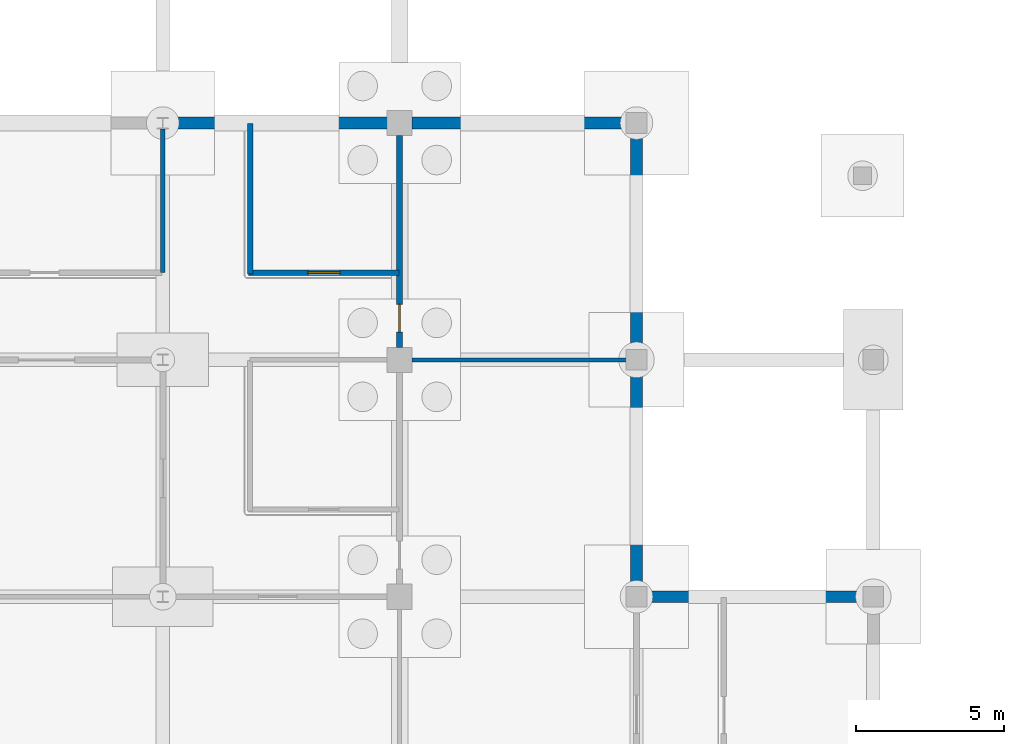
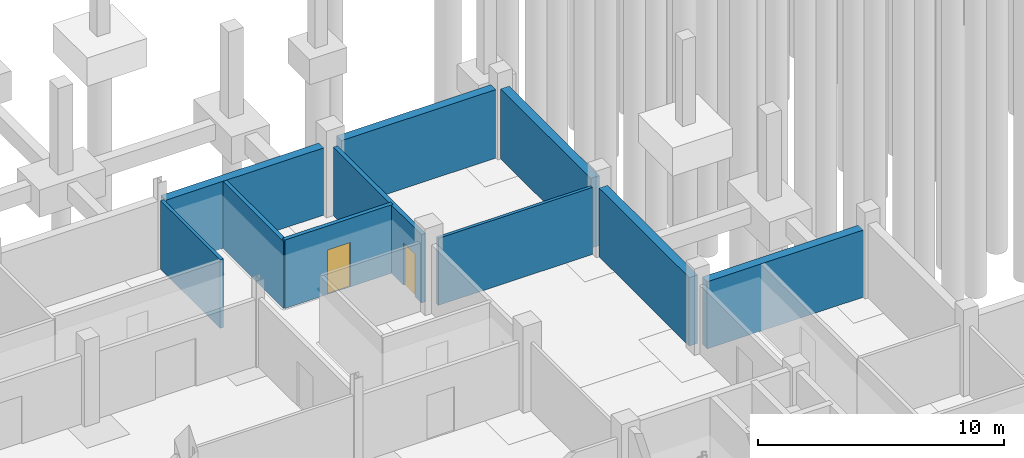
# One storey, part 35 of 48: 10 walls, 2 doors, 2 openings.
"""IFC4 building model written with IfcOpenShell, lengths in metres."""

from ifc_helpers import new_model, si_unit, derived_unit, direction, frame, frame_2d, origin, place, context, subcontext, project, spatial, rectangle, extrude, material, layer, layer_set, type_object, element, fill, save


model = new_model("IFC4")

# Units and contexts
model_context = context("Model", 3, precision=1e-05, world=origin(), true_north=direction((0.0, 1.0)))
body_context = subcontext(model_context, "Body", "Model", "MODEL_VIEW")
ifc_project = project(units=[si_unit("LENGTHUNIT", "METRE"), si_unit("AREAUNIT", "SQUARE_METRE"), si_unit("VOLUMEUNIT", "CUBIC_METRE"), si_unit("PLANEANGLEUNIT", "RADIAN"), si_unit("MASSUNIT", "GRAM", prefix="KILO"), derived_unit("THERMALTRANSMITTANCEUNIT", [(si_unit("MASSUNIT", "GRAM", prefix="KILO"), 1), (si_unit("TIMEUNIT", "SECOND"), -3), (si_unit("THERMODYNAMICTEMPERATUREUNIT", "KELVIN"), -1)])], contexts=[model_context])

# Site, building, storey
site_placement = place(None, origin())
site = spatial("IfcSite", under=ifc_project, at=site_placement, CompositionType="ELEMENT")
building_placement = place(site_placement, origin())
building = spatial("IfcBuilding", under=site, at=building_placement, Name="Veyamyaing Civic Hall", CompositionType="ELEMENT")
storey_placement = place(building_placement, frame((0.0, 0.0, -4.2900390625)))
storey = spatial("IfcBuildingStorey", under=building, at=storey_placement, Name="B1", CompositionType="ELEMENT", Elevation=-4.2900390625)

# Walls
ifc_material_1 = material(Name="Concrete C40/50", Category="concrete")
ifc_layer_1 = layer(ifc_material_1, 0.39990234375, Name="Concrete C40/50")
ifc_layer_set_1 = layer_set([ifc_layer_1], Name="Concrete C40/50")
wall_type_1 = type_object("IfcWallType", Name="WT-01", PredefinedType="SHEAR", material=ifc_layer_set_1)
wall_1_placement = place(storey_placement, frame((96.18408203125, 80.0, 0.0), z_axis=(0.0, 0.0, 1.0), x_axis=(1.0, 0.0, 0.0)))
element("IfcWall", 1, at=wall_1_placement, inside=storey, type_object=wall_type_1, Name="Basement retaining wall WT-01 N 13.10", PredefinedType="SHEAR", context=body_context, shape_type="SweptSolid", body=[
    extrude(rectangle(XDim=7.406005859375, YDim=0.39990234375, at=frame_2d((3.703125, 0.0))), origin(), (0.0, 0.0, 1.0), 3.3330078125),
])
wall_2_placement = place(storey_placement, frame((112.0, 64.3349609375, 0.0), z_axis=(0.0, 0.0, 1.0), x_axis=(0.0, 1.0, 0.0)))
element("IfcWall", 2, at=wall_2_placement, inside=storey, type_object=wall_type_1, Name="Basement retaining wall WT-01 E 14.9", PredefinedType="SHEAR", context=body_context, shape_type="SweptSolid", body=[
    extrude(rectangle(XDim=7.330078125, YDim=0.39990234375, at=frame_2d((3.6650390625, 0.0))), origin(), (0.0, 0.0, 1.0), 3.401123046875),
])
wall_3_placement = place(storey_placement, frame((104.409912109375, 80.0, 0.0), z_axis=(0.0, 0.0, 1.0), x_axis=(1.0, 0.0, 0.0)))
element("IfcWall", 3, at=wall_3_placement, inside=storey, type_object=wall_type_1, Name="Basement retaining wall WT-01 N 14.10", PredefinedType="SHEAR", context=body_context, shape_type="SweptSolid", body=[
    extrude(rectangle(XDim=7.255126953125, YDim=0.39990234375, at=frame_2d((3.62744140625, 0.0))), origin(), (0.0, 0.0, 1.0), 3.401123046875),
])
wall_4_placement = place(storey_placement, frame((112.0, 72.3349609375, 0.0), z_axis=(0.0, 0.0, 1.0), x_axis=(0.0, 1.0, 0.0)))
element("IfcWall", 4, at=wall_4_placement, inside=storey, type_object=wall_type_1, Name="Basement retaining wall WT-01 E 14.10", PredefinedType="SHEAR", context=body_context, shape_type="SweptSolid", body=[
    extrude(rectangle(XDim=7.330078125, YDim=0.39990234375, at=frame_2d((3.6650390625, 0.0))), origin(), (0.0, 0.0, 1.0), 3.468017578125),
])
wall_5_placement = place(storey_placement, frame((112.3349609375, 64.0, 0.0), z_axis=(0.0, 0.0, 1.0), x_axis=(1.0, 0.0, 0.0)))
element("IfcWall", 5, at=wall_5_placement, inside=storey, type_object=wall_type_1, Name="Basement retaining wall WT-01 N 15.8", PredefinedType="SHEAR", context=body_context, shape_type="SweptSolid", body=[
    extrude(rectangle(XDim=7.330078125, YDim=0.39990234375, at=frame_2d((3.6650390625, 0.0))), origin(), (0.0, 0.0, 1.0), 3.3330078125),
])

# Wall, opening, door
ifc_layer_2 = layer(ifc_material_1, 0.199951171875, Name="Concrete C40/50")
ifc_layer_set_2 = layer_set([ifc_layer_2], Name="Concrete C40/50")
wall_type_2 = type_object("IfcWallType", Name="WT-06", PredefinedType="PARTITIONING", material=ifc_layer_set_2)
wall_6_placement = place(storey_placement, frame((104.0, 72.4150390625, 0.0), z_axis=(0.0, 0.0, 1.0), x_axis=(0.0, 1.0, 0.0)))
wall_6 = element("IfcWall", 6, at=wall_6_placement, inside=storey, type_object=wall_type_2, Name="Interior partition wall WT-06 B1.56", PredefinedType="PARTITIONING", context=body_context, shape_type="SweptSolid", body=[
    extrude(rectangle(XDim=7.169921875, YDim=0.199951171875, at=frame_2d((3.5849609375, 0.0))), origin(), (0.0, 0.0, 1.0), 3.39404296875),
])
opening_1_placement = place(wall_6_placement, frame((0.52001953125, 0.0, 0.0)))
opening_1 = element("IfcOpeningElement", 7, at=opening_1_placement, cuts=wall_6, Name="Opening D-30", PredefinedType="OPENING", context=body_context, shape_type="SweptSolid", body=[
    extrude(rectangle(XDim=0.93994140625, YDim=2.1201171875, at=frame_2d((0.469970703125, 1.06005859375))), frame((0.0, 0.10986328125, 0.0), z_axis=(0.0, -1.0, 0.0), x_axis=(1.0, 0.0, 0.0)), (0.0, 0.0, 1.0), 0.219970703125),
])
ifc_material_2 = material(Name="Teak-veneered acoustic timber", Category="wood")
door_type_1 = type_object("IfcDoorType", Name="D-30", OperationType="NOTDEFINED", PredefinedType="DOOR", material=ifc_material_2)
door_1_placement = place(opening_1_placement, frame((0.93994140625, 0.0, 0.0), z_axis=(0.0, 0.0, 1.0), x_axis=(-1.0, 0.0, 0.0)))
door_1 = element("IfcDoor", 8, at=door_1_placement, inside=storey, type_object=door_type_1, Name="Interior door D-30 B1.56", OperationType="SINGLE_SWING_LEFT", OverallHeight=2.1201171875, OverallWidth=0.93994140625, PredefinedType="DOOR", context=body_context, shape_type="SweptSolid", body=[
    extrude(rectangle(XDim=0.93994140625, YDim=2.1201171875, at=frame_2d((0.469970703125, 1.06005859375))), frame((0.0, 0.02490234375, 0.0), z_axis=(0.0, -1.0, 0.0), x_axis=(1.0, 0.0, 0.0)), (0.0, 0.0, 1.0), 0.050048828125),
])
fill(opening_1, door_1)

# Wall
ifc_material_3 = material(Name="Gypsum board on steel stud", Category="steel")
ifc_layer_3 = layer(ifc_material_3, 0.14990234375, Name="Gypsum board on steel stud")
ifc_layer_set_3 = layer_set([ifc_layer_3], Name="Gypsum board on steel stud")
wall_type_3 = type_object("IfcWallType", Name="WT-08", PredefinedType="PARTITIONING", material=ifc_layer_set_3)
wall_7_placement = place(storey_placement, frame((96.0, 74.949951171875, 0.0), z_axis=(0.0, 0.0, 1.0), x_axis=(0.0, 1.0, 0.0)))
element("IfcWall", 9, at=wall_7_placement, inside=storey, type_object=wall_type_3, Name="Gallery office end partition WT-08 B1.32.2", PredefinedType="PARTITIONING", context=body_context, shape_type="SweptSolid", body=[
    extrude(rectangle(XDim=4.846435546875, YDim=0.14990234375, at=frame_2d((2.42333984375, 0.0))), origin(), (0.0, 0.0, 1.0), 3.402099609375),
])

# Wall, opening, door
ifc_material_4 = material(Name="Gypsum board on double acoustic stud")
ifc_layer_4 = layer(ifc_material_4, 0.18505859375, Name="Gypsum board on double acoustic stud")
ifc_layer_set_4 = layer_set([ifc_layer_4], Name="Gypsum board on double acoustic stud")
wall_type_4 = type_object("IfcWallType", Name="WT-19", PredefinedType="PARTITIONING", material=ifc_layer_set_4)
wall_8_placement = place(storey_placement, frame((98.89990234375, 74.949951171875, 0.0), z_axis=(0.0, 0.0, 1.0), x_axis=(1.0, 0.0, 0.0)))
wall_8 = element("IfcWall", 10, at=wall_8_placement, inside=storey, type_object=wall_type_4, Name="Corridor gallery partition WT-19 B1.34.1", PredefinedType="PARTITIONING", context=body_context, shape_type="SweptSolid", body=[
    extrude(rectangle(XDim=5.080078125, YDim=0.18505859375, at=frame_2d((2.5400390625, 0.0))), origin(), (0.0, 0.0, 1.0), 3.39404296875),
])
opening_2_placement = place(wall_8_placement, frame((2.0, 0.0, 0.0)))
opening_2 = element("IfcOpeningElement", 11, at=opening_2_placement, cuts=wall_8, Name="Opening D-23", PredefinedType="OPENING", context=body_context, shape_type="SweptSolid", body=[
    extrude(rectangle(XDim=1.080078125, YDim=2.199951171875, at=frame_2d((0.5400390625, 1.10009765625))), frame((0.0, 0.1025390625, 0.0), z_axis=(0.0, -1.0, 0.0), x_axis=(1.0, 0.0, 0.0)), (0.0, 0.0, 1.0), 0.205078125),
])
door_type_2 = type_object("IfcDoorType", Name="D-23", OperationType="NOTDEFINED", PredefinedType="DOOR", material=ifc_material_2)
door_2_placement = place(opening_2_placement, origin())
door_2 = element("IfcDoor", 12, at=door_2_placement, inside=storey, type_object=door_type_2, Name="Gallery office door D-23 B1.34", OperationType="SINGLE_SWING_RIGHT", OverallHeight=2.199951171875, OverallWidth=1.080078125, PredefinedType="DOOR", context=body_context, shape_type="SweptSolid", body=[
    extrude(rectangle(XDim=1.080078125, YDim=2.199951171875, at=frame_2d((0.5400390625, 1.10009765625))), frame((0.0, 0.02490234375, 0.0), z_axis=(0.0, -1.0, 0.0), x_axis=(1.0, 0.0, 0.0)), (0.0, 0.0, 1.0), 0.050048828125),
])
fill(opening_2, door_2)

# Walls
wall_9_placement = place(storey_placement, frame((98.949951171875, 74.89990234375, 0.0), z_axis=(0.0, 0.0, 1.0), x_axis=(0.0, 1.0, 0.0)))
element("IfcWall", 13, at=wall_9_placement, inside=storey, type_object=wall_type_4, Name="Corridor gallery partition WT-19 B1.34.2", PredefinedType="PARTITIONING", context=body_context, shape_type="SweptSolid", body=[
    extrude(rectangle(XDim=5.080078125, YDim=0.18505859375, at=frame_2d((2.5400390625, 0.0))), origin(), (0.0, 0.0, 1.0), 3.325927734375),
])
ifc_layer_5 = layer(ifc_material_3, 0.14208984375, Name="Gypsum board on steel stud")
ifc_layer_set_5 = layer_set([ifc_layer_5], Name="Gypsum board on steel stud")
wall_type_5 = type_object("IfcWallType", Name="WT-20", PredefinedType="PARTITIONING", material=ifc_layer_set_5)
wall_10_placement = place(storey_placement, frame((104.4150390625, 72.0, 0.0), z_axis=(0.0, 0.0, 1.0), x_axis=(1.0, 0.0, 0.0)))
element("IfcWall", 14, at=wall_10_placement, inside=storey, type_object=wall_type_5, Name="Interior partition wall WT-20 B1.59", PredefinedType="PARTITIONING", context=body_context, shape_type="SweptSolid", body=[
    extrude(rectangle(XDim=7.244873046875, YDim=0.14208984375, at=frame_2d((3.62255859375, 0.0))), origin(), (0.0, 0.0, 1.0), 3.325927734375),
])

save(model, "model.ifc")
